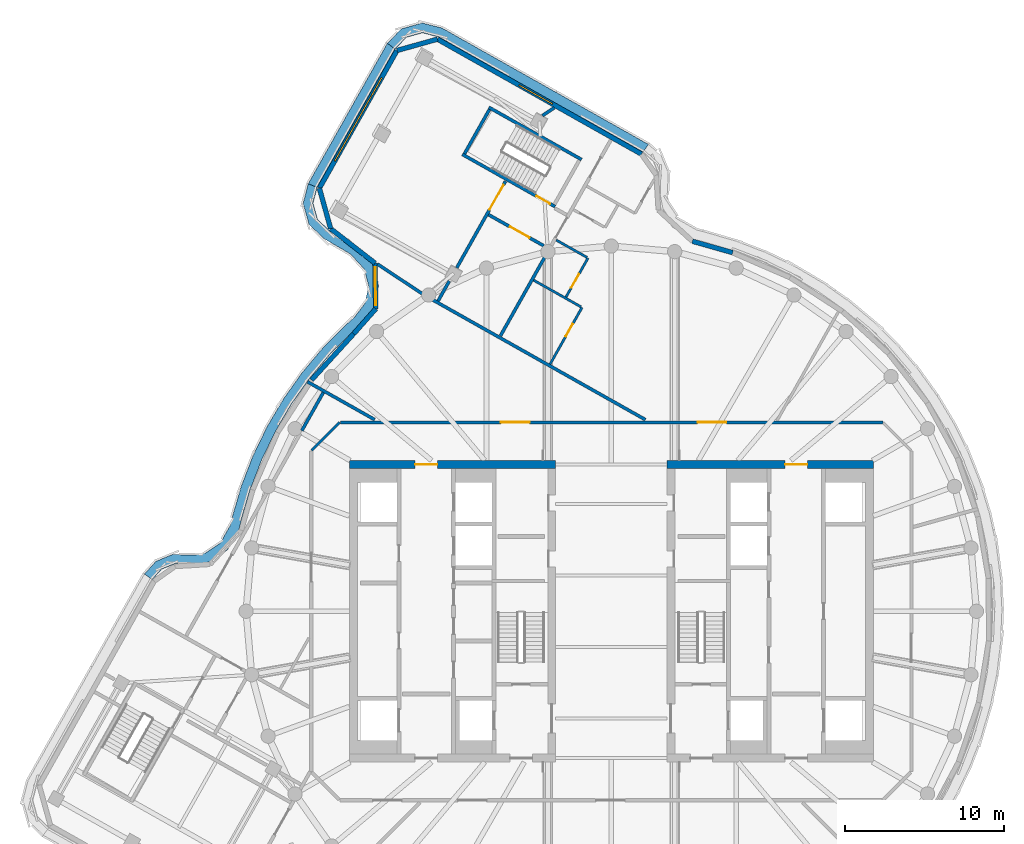
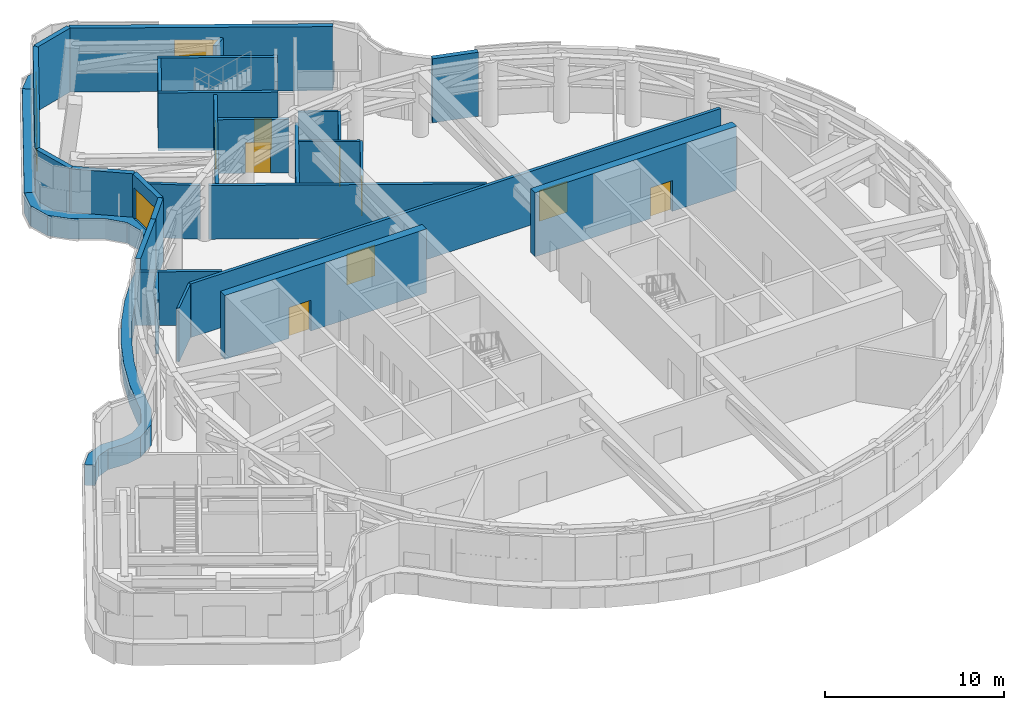
# One storey, part 8 of 15: 29 walls, 9 doors, 3 members, 3 windows, 12 openings.
"""IFC4 building model written with IfcOpenShell, lengths in metres."""

from ifc_helpers import new_model, si_unit, direction, frame, frame_2d, origin, place, context, subcontext, project, spatial, polyline, rectangle, outline, extrude, material, layer, layer_set, type_object, element, fill, aggregate, save


model = new_model("IFC4")

# Units and contexts
model_context = context("Model", 3, precision=1e-05, world=origin(), true_north=direction((0.0, 1.0)))
body_context = subcontext(model_context, "Body", "Model", "MODEL_VIEW")
ifc_project = project(units=[si_unit("LENGTHUNIT", "METRE"), si_unit("AREAUNIT", "SQUARE_METRE"), si_unit("VOLUMEUNIT", "CUBIC_METRE"), si_unit("PLANEANGLEUNIT", "RADIAN"), si_unit("MASSUNIT", "GRAM", prefix="KILO")], contexts=[model_context])

# Member
ifc_material_1 = material(Name="Aluminium and insulated spandrel panel", Category="aluminium")
member_type = type_object("IfcMemberType", Name="Floor-edge blade transom", PredefinedType="USERDEFINED", material=ifc_material_1)
site_placement = place(None, origin())
building_placement = place(site_placement, origin())
storey_placement = place(building_placement, frame((0.0, 0.0, 252.300048828125)))
member_1_placement = place(storey_placement, origin())
member_1 = element("IfcMember", 1, at=member_1_placement, type_object=member_type, Name="CWT-L64-02", ObjectType="TRANSOM", PredefinedType="USERDEFINED", context=body_context, shape_type="SweptSolid", body=[
    extrude(outline(polyline([(1.990966796875, 28.9130859375), (-10.891845703125, 36.172607421875), (-11.894775390625, 36.43017578125), (-12.891845703125, 36.151611328125), (-13.6162109375, 35.412109375), (-14.10009765625, 35.775390625), (-13.2080078125, 36.686279296875), (-11.901123046875, 37.05126953125), (-10.666259765625, 36.734130859375), (2.34375, 29.40283203125), (1.990966796875, 28.9130859375)])), origin(), (0.0, 0.0, 1.0), 1.39990234375),
])

member_2_placement = place(storey_placement, origin())
member_2 = element("IfcMember", 2, at=member_2_placement, type_object=member_type, Name="CWT-L64-03", ObjectType="TRANSOM", PredefinedType="USERDEFINED", context=body_context, shape_type="SweptSolid", body=[
    extrude(outline(polyline([(-13.6162109375, 35.412109375), (-18.525390625, 26.699951171875), (-19.0869140625, 26.92578125), (-14.10009765625, 35.775390625), (-13.6162109375, 35.412109375)])), origin(), (0.0, 0.0, 1.0), 1.39990234375),
])

member_3_placement = place(storey_placement, origin())
member_3 = element("IfcMember", 3, at=member_3_placement, type_object=member_type, Name="CWT-L64-04", ObjectType="TRANSOM", PredefinedType="USERDEFINED", context=body_context, shape_type="SweptSolid", body=[
    extrude(outline(polyline([(-18.525390625, 26.699951171875), (-18.782958984375, 25.697265625), (-18.504638671875, 24.7001953125), (-17.764892578125, 23.975830078125), (-16.046630859375, 22.974365234375), (-15.011962890625, 21.849609375), (-14.65576171875, 20.488037109375), (-14.970703125, 19.1162109375), (-15.76025390625, 18.076171875), (-16.327880859375, 17.584228515625), (-17.72412109375, 16.17578125), (-18.99951171875, 14.656982421875), (-20.14501953125, 13.0380859375), (-21.15283203125, 11.329833984375), (-22.01611328125, 9.54443359375), (-22.72900390625, 7.69384765625), (-23.286865234375, 5.79052734375), (-23.4462890625, 5.162841796875), (-24.17822265625, 3.86328125), (-25.325439453125, 3.107666015625), (-26.23388671875, 2.93212890625), (-26.923583984375, 2.949462890625), (-27.5068359375, 2.980712890625), (-28.321533203125, 2.644775390625), (-28.9130859375, 1.990966796875), (-29.40283203125, 2.34375), (-28.67578125, 3.147705078125), (-27.610107421875, 3.5869140625), (-26.900146484375, 3.549072265625), (-26.28369140625, 3.533447265625), (-25.55615234375, 3.674072265625), (-24.629638671875, 4.2841796875), (-24.00830078125, 5.387939453125), (-23.86572265625, 5.94873046875), (-23.2978515625, 7.88623046875), (-22.567138671875, 9.783203125), (-21.68212890625, 11.613525390625), (-20.64892578125, 13.3642578125), (-19.474853515625, 15.023681640625), (-18.167724609375, 16.580810546875), (-16.738037109375, 18.02294921875), (-16.200439453125, 18.48876953125), (-15.526611328125, 19.376220703125), (-15.2734375, 20.478515625), (-15.5546875, 21.55322265625), (-16.4267578125, 22.501708984375), (-18.13134765625, 23.494873046875), (-19.039306640625, 24.384033203125), (-19.404052734375, 25.69091796875), (-19.0869140625, 26.92578125), (-18.525390625, 26.699951171875)])), origin(), (0.0, 0.0, 1.0), 1.39990234375),
])

# Site, building, storey
site = spatial("IfcSite", under=ifc_project, at=site_placement, CompositionType="ELEMENT")
building = spatial("IfcBuilding", under=site, at=building_placement, Name="Tamarind Cross Interchange Tower", CompositionType="ELEMENT")
storey = spatial("IfcBuildingStorey", under=building, at=storey_placement, Name="L64", CompositionType="ELEMENT", Elevation=252.300048828125)

# Wall, opening, door
ifc_material_2 = material(Name="Concrete C50", Category="concrete")
ifc_layer_1 = layer(ifc_material_2, 0.5)
ifc_layer_set_1 = layer_set([ifc_layer_1], Name="Concrete C50")
wall_type_1 = type_object("IfcWallType", Name="Core wall 500 mm Concrete C50", PredefinedType="SHEAR", material=ifc_layer_set_1)
wall_1_placement = place(storey_placement, frame((-16.5, 9.25, 0.0), z_axis=(0.0, 0.0, 1.0), x_axis=(1.0, 0.0, 0.0)))
wall_1 = element("IfcWall", 4, at=wall_1_placement, inside=storey, type_object=wall_type_1, Name="Core wall CWL-L64-W-NE", PredefinedType="SHEAR", context=body_context, shape_type="SweptSolid", body=[
    extrude(rectangle(XDim=13.0, YDim=0.5, at=frame_2d((6.5, 0.0))), origin(), (0.0, 0.0, 1.0), 4.35986328125),
])
opening_1_placement = place(wall_1_placement, frame((4.14990234375, 0.0, 0.0)))
opening_1 = element("IfcOpeningElement", 5, at=opening_1_placement, cuts=wall_1, Name="Opening DCW31", PredefinedType="OPENING", context=body_context, shape_type="SweptSolid", body=[
    extrude(rectangle(XDim=1.39990234375, YDim=2.10009765625, at=frame_2d((0.699951171875, 1.050048828125))), frame((0.0, 0.260009765625, 0.0), z_axis=(0.0, -1.0, 0.0), x_axis=(1.0, 0.0, 0.0)), (0.0, 0.0, 1.0), 0.52001953125),
])
ifc_material_3 = material(Name="Steel, fire-resisting", Category="steel")
door_type_1 = type_object("IfcDoorType", Name="Core fire door 1400 x 2100 FD90", OperationType="SINGLE_SWING_LEFT", PredefinedType="DOOR", material=ifc_material_3)
door_1_placement = place(opening_1_placement, origin())
door_1 = element("IfcDoor", 6, at=door_1_placement, inside=storey, type_object=door_type_1, Name="L64 lift hall exit door", OperationType="SINGLE_SWING_LEFT", OverallHeight=2.10009765625, OverallWidth=1.39990234375, PredefinedType="DOOR", context=body_context, shape_type="SweptSolid", body=[
    extrude(rectangle(XDim=1.39990234375, YDim=2.10009765625, at=frame_2d((0.699951171875, 1.050048828125))), frame((0.0, 0.02490234375, 0.0), z_axis=(0.0, -1.0, 0.0), x_axis=(1.0, 0.0, 0.0)), (0.0, 0.0, 1.0), 0.050048828125),
])
fill(opening_1, door_1)

wall_2_placement = place(storey_placement, frame((16.5, 9.25, 0.0), z_axis=(0.0, 0.0, 1.0), x_axis=(-1.0, 0.0, 0.0)))
wall_2 = element("IfcWall", 7, at=wall_2_placement, inside=storey, type_object=wall_type_1, Name="Core wall CWL-L64-E-NE", PredefinedType="SHEAR", context=body_context, shape_type="SweptSolid", body=[
    extrude(rectangle(XDim=13.0, YDim=0.5, at=frame_2d((6.5, 0.0))), origin(), (0.0, 0.0, 1.0), 4.35986328125),
])
opening_2_placement = place(wall_2_placement, frame((4.14990234375, 0.0, 0.0)))
opening_2 = element("IfcOpeningElement", 8, at=opening_2_placement, cuts=wall_2, Name="Opening DCE31", PredefinedType="OPENING", context=body_context, shape_type="SweptSolid", body=[
    extrude(rectangle(XDim=1.39990234375, YDim=2.10009765625, at=frame_2d((0.699951171875, 1.050048828125))), frame((0.0, 0.260009765625, 0.0), z_axis=(0.0, -1.0, 0.0), x_axis=(1.0, 0.0, 0.0)), (0.0, 0.0, 1.0), 0.52001953125),
])
door_2_placement = place(opening_2_placement, origin())
door_2 = element("IfcDoor", 9, at=door_2_placement, inside=storey, type_object=door_type_1, Name="L64 lift hall exit door", OperationType="SINGLE_SWING_LEFT", OverallHeight=2.10009765625, OverallWidth=1.39990234375, PredefinedType="DOOR", context=body_context, shape_type="SweptSolid", body=[
    extrude(rectangle(XDim=1.39990234375, YDim=2.10009765625, at=frame_2d((0.699951171875, 1.050048828125))), frame((0.0, 0.02490234375, 0.0), z_axis=(0.0, -1.0, 0.0), x_axis=(1.0, 0.0, 0.0)), (0.0, 0.0, 1.0), 0.050048828125),
])
fill(opening_2, door_2)

# Walls
ifc_material_4 = material(Name="Gypsum board partition on steel studs", Category="steel")
ifc_layer_2 = layer(ifc_material_4, 0.14990234375)
ifc_layer_set_2 = layer_set([ifc_layer_2], Name="Gypsum board partition on steel studs")
wall_type_2 = type_object("IfcWallType", Name="Partition 150 mm EI 120", PredefinedType="PARTITIONING", material=ifc_layer_set_2)
wall_3_placement = place(storey_placement, frame((-4.892822265625, 20.85400390625, 0.0), z_axis=(0.0, 0.0, 1.0), x_axis=(0.871287977001, -0.490772107127, 0.0)))
element("IfcWall", 10, at=wall_3_placement, inside=storey, type_object=wall_type_2, Name="Partition L64-015", PredefinedType="PARTITIONING", context=body_context, shape_type="SweptSolid", body=[
    extrude(rectangle(XDim=3.425537109375, YDim=0.14990234375, at=frame_2d((1.712890625, 0.0))), origin(), (0.0, 0.0, 1.0), 3.659912109375),
])
wall_4_placement = place(storey_placement, frame((-3.468994140625, 23.380859375, 0.0), z_axis=(0.0, 0.0, 1.0), x_axis=(0.871285294393, -0.490776869641, 0.0)))
element("IfcWall", 11, at=wall_4_placement, inside=storey, type_object=wall_type_2, Name="Partition L64-017", PredefinedType="PARTITIONING", context=body_context, shape_type="SweptSolid", body=[
    extrude(rectangle(XDim=2.22509765625, YDim=0.14990234375, at=frame_2d((1.112548828125, 0.0))), origin(), (0.0, 0.0, 1.0), 3.659912109375),
])
wall_5_placement = place(storey_placement, frame((-18.864501953125, 10.135498046875, 0.0), z_axis=(0.0, 0.0, 1.0), x_axis=(0.707106781187, 0.707106781187, 0.0)))
element("IfcWall", 12, at=wall_5_placement, inside=storey, type_object=wall_type_2, Name="Partition L64-023", PredefinedType="PARTITIONING", context=body_context, shape_type="SweptSolid", body=[
    extrude(rectangle(XDim=2.495361328125, YDim=0.14990234375, at=frame_2d((1.24755859375, 0.0))), origin(), (0.0, 0.0, 1.0), 3.659912109375),
])

# Wall, opening, door
wall_6_placement = place(storey_placement, frame((-3.85595703125, 15.564208984375, 0.0), z_axis=(0.0, 0.0, 1.0), x_axis=(0.49096787186, 0.871177679237, 0.0)))
wall_6 = element("IfcWall", 13, at=wall_6_placement, inside=storey, type_object=wall_type_2, Name="Partition L64-039", PredefinedType="PARTITIONING", context=body_context, shape_type="SweptSolid", body=[
    extrude(rectangle(XDim=4.099853515625, YDim=0.14990234375, at=frame_2d((2.0498046875, 0.0))), origin(), (0.0, 0.0, 1.0), 3.659912109375),
])
opening_3_placement = place(wall_6_placement, frame((2.0, 0.0, 0.0)))
opening_3 = element("IfcOpeningElement", 14, at=opening_3_placement, cuts=wall_6, Name="Opening D16", PredefinedType="OPENING", context=body_context, shape_type="SweptSolid", body=[
    extrude(rectangle(XDim=0.89990234375, YDim=2.10009765625, at=frame_2d((0.449951171875, 1.050048828125))), frame((0.0, 0.0849609375, 0.0), z_axis=(0.0, -1.0, 0.0), x_axis=(1.0, 0.0, 0.0)), (0.0, 0.0, 1.0), 0.169921875),
])
ifc_material_5 = material(Name="Fire-resisting door set")
door_type_2 = type_object("IfcDoorType", Name="Interior door 900 x 2100 FD60S", OperationType="SINGLE_SWING_LEFT", PredefinedType="DOOR", material=ifc_material_5)
door_3_placement = place(opening_3_placement, origin())
door_3 = element("IfcDoor", 15, at=door_3_placement, inside=storey, type_object=door_type_2, Name="Door D16", OperationType="SINGLE_SWING_LEFT", OverallHeight=2.10009765625, OverallWidth=0.89990234375, PredefinedType="DOOR", context=body_context, shape_type="SweptSolid", body=[
    extrude(rectangle(XDim=0.89990234375, YDim=2.10009765625, at=frame_2d((0.449951171875, 1.050048828125))), frame((0.0, 0.02490234375, 0.0), z_axis=(0.0, -1.0, 0.0), x_axis=(1.0, 0.0, 0.0)), (0.0, 0.0, 1.0), 0.050048828125),
])
fill(opening_3, door_3)

wall_7_placement = place(storey_placement, frame((-2.849609375, 19.794677734375, 0.0), z_axis=(0.0, 0.0, 1.0), x_axis=(0.490881675971, 0.871226250865, 0.0)))
wall_7 = element("IfcWall", 16, at=wall_7_placement, inside=storey, type_object=wall_type_2, Name="Partition L64-041", PredefinedType="PARTITIONING", context=body_context, shape_type="SweptSolid", body=[
    extrude(rectangle(XDim=2.820556640625, YDim=0.14990234375, at=frame_2d((1.41015625, 0.0))), origin(), (0.0, 0.0, 1.0), 3.659912109375),
])
opening_4_placement = place(wall_7_placement, frame((0.669921875, 0.0, 0.0)))
opening_4 = element("IfcOpeningElement", 17, at=opening_4_placement, cuts=wall_7, Name="Opening D18", PredefinedType="OPENING", context=body_context, shape_type="SweptSolid", body=[
    extrude(rectangle(XDim=1.0, YDim=2.10009765625, at=frame_2d((0.5, 1.050048828125))), frame((0.0, 0.0849609375, 0.0), z_axis=(0.0, -1.0, 0.0), x_axis=(1.0, 0.0, 0.0)), (0.0, 0.0, 1.0), 0.169921875),
])
door_type_3 = type_object("IfcDoorType", Name="Interior door 1000 x 2100 FD60S", OperationType="SINGLE_SWING_LEFT", PredefinedType="DOOR", material=ifc_material_5)
door_4_placement = place(opening_4_placement, origin())
door_4 = element("IfcDoor", 18, at=door_4_placement, inside=storey, type_object=door_type_3, Name="Door D18", OperationType="SINGLE_SWING_RIGHT", OverallHeight=2.10009765625, OverallWidth=1.0, PredefinedType="DOOR", context=body_context, shape_type="SweptSolid", body=[
    extrude(rectangle(XDim=1.0, YDim=2.10009765625, at=frame_2d((0.5, 1.050048828125))), frame((0.0, 0.02490234375, 0.0), z_axis=(0.0, -1.0, 0.0), x_axis=(1.0, 0.0, 0.0)), (0.0, 0.0, 1.0), 0.050048828125),
])
fill(opening_4, door_4)

# Walls
ifc_layer_3 = layer(ifc_material_4, 0.199951171875)
ifc_layer_set_3 = layer_set([ifc_layer_3], Name="Gypsum board partition on steel studs")
wall_type_3 = type_object("IfcWallType", Name="Partition 200 mm EI 180", PredefinedType="PARTITIONING", material=ifc_layer_set_3)
wall_8_placement = place(storey_placement, frame((-19.130615234375, 14.452880859375, 0.0), z_axis=(0.0, 0.0, 1.0), x_axis=(0.871219461058, -0.490893726456, 0.0)))
element("IfcWall", 19, at=wall_8_placement, inside=storey, type_object=wall_type_3, Name="Partition L64-011", PredefinedType="PARTITIONING", context=body_context, shape_type="SweptSolid", body=[
    extrude(rectangle(XDim=4.85546875, YDim=0.199951171875, at=frame_2d((2.427734375, 0.0))), origin(), (0.0, 0.0, 1.0), 3.659912109375),
])
wall_9_placement = place(storey_placement, frame((-14.724609375, 21.865966796875, 0.0), z_axis=(0.0, 0.0, 1.0), x_axis=(0.833781800799, -0.552094112137, 0.0)))
element("IfcWall", 20, at=wall_9_placement, inside=storey, type_object=wall_type_3, Name="Partition L64-012", PredefinedType="PARTITIONING", context=body_context, shape_type="SweptSolid", body=[
    extrude(rectangle(XDim=3.549072265625, YDim=0.199951171875, at=frame_2d((1.7744140625, 0.0))), origin(), (0.0, 0.0, 1.0), 3.659912109375),
])
wall_10_placement = place(storey_placement, frame((-11.373291015625, 19.685546875, 0.0), z_axis=(0.0, 0.0, 1.0), x_axis=(0.871198713454, -0.490930546693, 0.0)))
element("IfcWall", 21, at=wall_10_placement, inside=storey, type_object=wall_type_3, Name="Partition L64-013", PredefinedType="PARTITIONING", context=body_context, shape_type="SweptSolid", body=[
    extrude(rectangle(XDim=15.513916015625, YDim=0.199951171875, at=frame_2d((7.7568359375, 0.0))), origin(), (0.0, 0.0, 1.0), 3.659912109375),
])

# Wall, opening, door
wall_11_placement = place(storey_placement, frame((-7.73291015625, 24.97998046875, 0.0), z_axis=(0.0, 0.0, 1.0), x_axis=(0.871188339902, -0.490948955003, 0.0)))
wall_11 = element("IfcWall", 22, at=wall_11_placement, inside=storey, type_object=wall_type_3, Name="Partition L64-014", PredefinedType="PARTITIONING", context=body_context, shape_type="SweptSolid", body=[
    extrude(rectangle(XDim=3.99365234375, YDim=0.199951171875, at=frame_2d((1.996826171875, 0.0))), origin(), (0.0, 0.0, 1.0), 3.659912109375),
])
opening_5_placement = place(wall_11_placement, frame((1.550048828125, 0.0, 0.0)))
opening_5 = element("IfcOpeningElement", 23, at=opening_5_placement, cuts=wall_11, Name="Opening D02", PredefinedType="OPENING", context=body_context, shape_type="SweptSolid", body=[
    extrude(rectangle(XDim=1.39990234375, YDim=2.10009765625, at=frame_2d((0.699951171875, 1.050048828125))), frame((0.0, 0.10986328125, 0.0), z_axis=(0.0, -1.0, 0.0), x_axis=(1.0, 0.0, 0.0)), (0.0, 0.0, 1.0), 0.219970703125),
])
door_type_4 = type_object("IfcDoorType", Name="Interior door 1400 x 2100 FD120S", OperationType="DOUBLE_DOOR_SINGLE_SWING", PredefinedType="DOOR", material=ifc_material_5)
door_5_placement = place(opening_5_placement, frame((1.39990234375, 0.0, 0.0), z_axis=(0.0, 0.0, 1.0), x_axis=(-1.0, 0.0, 0.0)))
door_5 = element("IfcDoor", 24, at=door_5_placement, inside=storey, type_object=door_type_4, Name="Door D02", OperationType="DOUBLE_DOOR_SINGLE_SWING", OverallHeight=2.10009765625, OverallWidth=1.39990234375, PredefinedType="DOOR", context=body_context, shape_type="SweptSolid", body=[
    extrude(rectangle(XDim=1.39990234375, YDim=2.10009765625, at=frame_2d((0.699951171875, 1.050048828125))), frame((0.0, 0.02490234375, 0.0), z_axis=(0.0, -1.0, 0.0), x_axis=(1.0, 0.0, 0.0)), (0.0, 0.0, 1.0), 0.050048828125),
])
fill(opening_5, door_5)

# Wall, openings, doors
wall_12_placement = place(storey_placement, frame((-17.06494140625, 11.89990234375, 0.0), z_axis=(0.0, 0.0, 1.0), x_axis=(1.0, 0.0, 0.0)))
wall_12 = element("IfcWall", 25, at=wall_12_placement, inside=storey, type_object=wall_type_3, Name="Partition L64-021", PredefinedType="PARTITIONING", context=body_context, shape_type="SweptSolid", body=[
    extrude(rectangle(XDim=34.1650390625, YDim=0.199951171875, at=frame_2d((17.08251953125, 0.0))), origin(), (0.0, 0.0, 1.0), 3.659912109375),
])
opening_6_placement = place(wall_12_placement, frame((22.508056640625, 0.0, 0.0)))
opening_6 = element("IfcOpeningElement", 26, at=opening_6_placement, cuts=wall_12, Name="Opening D07", PredefinedType="OPENING", context=body_context, shape_type="SweptSolid", body=[
    extrude(rectangle(XDim=1.800048828125, YDim=2.10009765625, at=frame_2d((0.89990234375, 1.050048828125))), frame((0.0, 0.10986328125, 0.0), z_axis=(0.0, -1.0, 0.0), x_axis=(1.0, 0.0, 0.0)), (0.0, 0.0, 1.0), 0.219970703125),
])
opening_7_placement = place(wall_12_placement, frame((10.114990234375, 0.0, 0.0)))
opening_7 = element("IfcOpeningElement", 27, at=opening_7_placement, cuts=wall_12, Name="Opening D08", PredefinedType="OPENING", context=body_context, shape_type="SweptSolid", body=[
    extrude(rectangle(XDim=1.800048828125, YDim=2.10009765625, at=frame_2d((0.89990234375, 1.050048828125))), frame((0.0, 0.10986328125, 0.0), z_axis=(0.0, -1.0, 0.0), x_axis=(1.0, 0.0, 0.0)), (0.0, 0.0, 1.0), 0.219970703125),
])
door_type_5 = type_object("IfcDoorType", Name="Interior door 1800 x 2100 FD120S", OperationType="DOUBLE_DOOR_SINGLE_SWING", PredefinedType="DOOR", material=ifc_material_5)
door_6_placement = place(opening_6_placement, frame((1.800048828125, 0.0, 0.0), z_axis=(0.0, 0.0, 1.0), x_axis=(-1.0, 0.0, 0.0)))
door_6 = element("IfcDoor", 28, at=door_6_placement, inside=storey, type_object=door_type_5, Name="Door D07", OperationType="DOUBLE_DOOR_SINGLE_SWING", OverallHeight=2.10009765625, OverallWidth=1.800048828125, PredefinedType="DOOR", context=body_context, shape_type="SweptSolid", body=[
    extrude(rectangle(XDim=1.800048828125, YDim=2.10009765625, at=frame_2d((0.89990234375, 1.050048828125))), frame((0.0, 0.02490234375, 0.0), z_axis=(0.0, -1.0, 0.0), x_axis=(1.0, 0.0, 0.0)), (0.0, 0.0, 1.0), 0.050048828125),
])
fill(opening_6, door_6)
door_7_placement = place(opening_7_placement, origin())
door_7 = element("IfcDoor", 29, at=door_7_placement, inside=storey, type_object=door_type_5, Name="Door D08", OperationType="DOUBLE_DOOR_SINGLE_SWING", OverallHeight=2.10009765625, OverallWidth=1.800048828125, PredefinedType="DOOR", context=body_context, shape_type="SweptSolid", body=[
    extrude(rectangle(XDim=1.800048828125, YDim=2.10009765625, at=frame_2d((0.89990234375, 1.050048828125))), frame((0.0, 0.02490234375, 0.0), z_axis=(0.0, -1.0, 0.0), x_axis=(1.0, 0.0, 0.0)), (0.0, 0.0, 1.0), 0.050048828125),
])
fill(opening_7, door_7)

# Walls
wall_13_placement = place(storey_placement, frame((-19.491455078125, 11.37744140625, 0.0), z_axis=(0.0, 0.0, 1.0), x_axis=(0.490950733336, 0.871187337739, 0.0)))
element("IfcWall", 30, at=wall_13_placement, inside=storey, type_object=wall_type_3, Name="Partition L64-029", PredefinedType="PARTITIONING", context=body_context, shape_type="SweptSolid", body=[
    extrude(rectangle(XDim=2.75634765625, YDim=0.199951171875, at=frame_2d((1.378173828125, 0.0))), origin(), (0.0, 0.0, 1.0), 3.659912109375),
])
wall_14_placement = place(storey_placement, frame((-10.912841796875, 19.541015625, 0.0), z_axis=(0.0, 0.0, 1.0), x_axis=(0.490861767795, 0.871237467581, 0.0)))
element("IfcWall", 31, at=wall_14_placement, inside=storey, type_object=wall_type_3, Name="Partition L64-034", PredefinedType="PARTITIONING", context=body_context, shape_type="SweptSolid", body=[
    extrude(rectangle(XDim=1.447265625, YDim=0.199951171875, at=frame_2d((0.7236328125, 0.0))), origin(), (0.0, 0.0, 1.0), 3.659912109375),
])

# Wall, opening, door
wall_15_placement = place(storey_placement, frame((-9.734619140625, 21.6318359375, 0.0), z_axis=(0.0, 0.0, 1.0), x_axis=(0.490972161339, 0.87117526181, 0.0)))
wall_15 = element("IfcWall", 32, at=wall_15_placement, inside=storey, type_object=wall_type_3, Name="Partition L64-035", PredefinedType="PARTITIONING", context=body_context, shape_type="SweptSolid", body=[
    extrude(rectangle(XDim=6.259521484375, YDim=0.199951171875, at=frame_2d((3.1298828125, 0.0))), origin(), (0.0, 0.0, 1.0), 3.659912109375),
])
opening_8_placement = place(wall_15_placement, frame((4.199462890625, 0.0, 0.0)))
opening_8 = element("IfcOpeningElement", 33, at=opening_8_placement, cuts=wall_15, Name="Opening D13", PredefinedType="OPENING", context=body_context, shape_type="SweptSolid", body=[
    extrude(rectangle(XDim=1.800048828125, YDim=2.10009765625, at=frame_2d((0.89990234375, 1.050048828125))), frame((0.0, 0.10986328125, 0.0), z_axis=(0.0, -1.0, 0.0), x_axis=(1.0, 0.0, 0.0)), (0.0, 0.0, 1.0), 0.219970703125),
])
door_8_placement = place(opening_8_placement, origin())
door_8 = element("IfcDoor", 34, at=door_8_placement, inside=storey, type_object=door_type_5, Name="Door D13", OperationType="DOUBLE_DOOR_SINGLE_SWING", OverallHeight=2.10009765625, OverallWidth=1.800048828125, PredefinedType="DOOR", context=body_context, shape_type="SweptSolid", body=[
    extrude(rectangle(XDim=1.800048828125, YDim=2.10009765625, at=frame_2d((0.89990234375, 1.050048828125))), frame((0.0, 0.02490234375, 0.0), z_axis=(0.0, -1.0, 0.0), x_axis=(1.0, 0.0, 0.0)), (0.0, 0.0, 1.0), 0.050048828125),
])
fill(opening_8, door_8)

# Walls
wall_16_placement = place(storey_placement, frame((-4.333251953125, 31.215576171875, 0.0), z_axis=(0.0, 0.0, 1.0), x_axis=(0.831335326715, 0.555771153044, 0.0)))
element("IfcWall", 35, at=wall_16_placement, inside=storey, type_object=wall_type_3, Name="Partition L64-036", PredefinedType="PARTITIONING", context=body_context, shape_type="SweptSolid", body=[
    extrude(rectangle(XDim=0.89404296875, YDim=0.199951171875, at=frame_2d((0.447021484375, 0.0))), origin(), (0.0, 0.0, 1.0), 3.659912109375),
])
wall_17_placement = place(storey_placement, frame((-6.983154296875, 17.348388671875, 0.0), z_axis=(0.0, 0.0, 1.0), x_axis=(0.490949267778, 0.871188163641, 0.0)))
element("IfcWall", 36, at=wall_17_placement, inside=storey, type_object=wall_type_3, Name="Partition L64-037", PredefinedType="PARTITIONING", context=body_context, shape_type="SweptSolid", body=[
    extrude(rectangle(XDim=5.861572265625, YDim=0.199951171875, at=frame_2d((2.9306640625, 0.0))), origin(), (0.0, 0.0, 1.0), 3.659912109375),
])
ifc_material_6 = material(Name="Precast concrete C40", Category="concrete")
ifc_layer_4 = layer(ifc_material_6, 0.300048828125)
ifc_layer_set_4 = layer_set([ifc_layer_4], Name="Precast concrete C40")
wall_type_4 = type_object("IfcWallType", Name="Plant louvre wall", PredefinedType="SOLIDWALL", material=ifc_layer_set_4)
wall_18_placement = place(storey_placement, frame((7.6455078125, 22.5869140625, 0.0), z_axis=(0.0, 0.0, 1.0), x_axis=(-0.962160288524, 0.272484089788, 0.0)))
element("IfcWall", 37, at=wall_18_placement, inside=storey, type_object=wall_type_4, Name="EXW-L64-01-26", PredefinedType="SOLIDWALL", context=body_context, shape_type="SweptSolid", body=[
    extrude(rectangle(XDim=2.638671875, YDim=0.300048828125, at=frame_2d((1.3193359375, 0.0))), origin(), (0.0, 0.0, 1.0), 4.35986328125),
])

# Wall, opening, window
wall_19_placement = place(storey_placement, frame((1.90283203125, 28.79052734375, 0.0), z_axis=(0.0, 0.0, 1.0), x_axis=(-0.871199573744, 0.490929020031, 0.0)))
wall_19 = element("IfcWall", 38, at=wall_19_placement, inside=storey, type_object=wall_type_4, Name="EXW-L64-02-00", PredefinedType="SOLIDWALL", context=body_context, shape_type="SweptSolid", body=[
    extrude(rectangle(XDim=14.7509765625, YDim=0.300048828125, at=frame_2d((7.37548828125, 0.0))), origin(), (0.0, 0.0, 1.0), 4.35986328125),
])
opening_9_placement = place(wall_19_placement, frame((6.449951171875, 0.0, 1.39990234375)))
opening_9 = element("IfcOpeningElement", 39, at=opening_9_placement, cuts=wall_19, Name="Opening W3", PredefinedType="OPENING", context=body_context, shape_type="SweptSolid", body=[
    extrude(rectangle(XDim=2.39990234375, YDim=2.10009765625, at=frame_2d((1.199951171875, 1.050048828125))), frame((0.0, 0.159912109375, 0.0), z_axis=(0.0, -1.0, 0.0), x_axis=(1.0, 0.0, 0.0)), (0.0, 0.0, 1.0), 0.320068359375),
])
ifc_material_7 = material(Name="Aluminium and fire-resisting glass", Category="aluminium")
window_type_1 = type_object("IfcWindowType", Name="Refuge rescue window", PartitioningType="DOUBLE_PANEL_VERTICAL", PredefinedType="WINDOW", material=ifc_material_7)
window_1_placement = place(opening_9_placement, origin())
window_1 = element("IfcWindow", 40, at=window_1_placement, inside=storey, type_object=window_type_1, Name="RSW-L64-02-00", OverallHeight=2.10009765625, OverallWidth=2.39990234375, PartitioningType="SINGLE_PANEL", PredefinedType="WINDOW", context=body_context, shape_type="SweptSolid", body=[
    extrude(rectangle(XDim=2.39990234375, YDim=2.10009765625, at=frame_2d((1.199951171875, 1.050048828125))), frame((0.0, 0.030029296875, 0.0), z_axis=(0.0, -1.0, 0.0), x_axis=(1.0, 0.0, 0.0)), (0.0, 0.0, 1.0), 0.06005859375),
])
fill(opening_9, window_1)

aggregate(wall_19, [member_1])

# Wall
wall_20_placement = place(storey_placement, frame((-10.9482421875, 36.0322265625, 0.0), z_axis=(0.0, 0.0, 1.0), x_axis=(-0.963178509749, -0.268862712844, 0.0)))
element("IfcWall", 41, at=wall_20_placement, inside=storey, type_object=wall_type_4, Name="EXW-L64-02-01", PredefinedType="SOLIDWALL", context=body_context, shape_type="SweptSolid", body=[
    extrude(rectangle(XDim=2.644287109375, YDim=0.300048828125, at=frame_2d((1.322265625, 0.0))), origin(), (0.0, 0.0, 1.0), 4.35986328125),
])

# Wall, opening, window
wall_21_placement = place(storey_placement, frame((-13.4951171875, 35.3212890625, 0.0), z_axis=(0.0, 0.0, 1.0), x_axis=(-0.490922083825, -0.871203482324, 0.0)))
wall_21 = element("IfcWall", 42, at=wall_21_placement, inside=storey, type_object=wall_type_4, Name="EXW-L64-03-00", PredefinedType="SOLIDWALL", context=body_context, shape_type="SweptSolid", body=[
    extrude(rectangle(XDim=9.960693359375, YDim=0.300048828125, at=frame_2d((4.98046875, 0.0))), origin(), (0.0, 0.0, 1.0), 4.35986328125),
])
opening_10_placement = place(wall_21_placement, frame((1.980224609375, 0.0, 1.39990234375)))
opening_10 = element("IfcOpeningElement", 43, at=opening_10_placement, cuts=wall_21, Name="Opening W2", PredefinedType="OPENING", context=body_context, shape_type="SweptSolid", body=[
    extrude(rectangle(XDim=6.0, YDim=2.60009765625, at=frame_2d((3.0, 1.300048828125))), frame((0.0, 0.159912109375, 0.0), z_axis=(0.0, -1.0, 0.0), x_axis=(1.0, 0.0, 0.0)), (0.0, 0.0, 1.0), 0.320068359375),
])
ifc_material_8 = material(Name="Aluminium louvre", Category="aluminium")
window_type_2 = type_object("IfcWindowType", Name="Plant louvre bank", PartitioningType="SINGLE_PANEL", PredefinedType="WINDOW", material=ifc_material_8)
window_2_placement = place(opening_10_placement, origin())
window_2 = element("IfcWindow", 44, at=window_2_placement, inside=storey, type_object=window_type_2, Name="WIN-L64-03-00", OverallHeight=2.60009765625, OverallWidth=6.0, PartitioningType="SINGLE_PANEL", PredefinedType="WINDOW", context=body_context, shape_type="SweptSolid", body=[
    extrude(rectangle(XDim=6.0, YDim=2.60009765625, at=frame_2d((3.0, 1.300048828125))), frame((0.0, 0.030029296875, 0.0), z_axis=(0.0, -1.0, 0.0), x_axis=(1.0, 0.0, 0.0)), (0.0, 0.0, 1.0), 0.06005859375),
])
fill(opening_10, window_2)

aggregate(wall_21, [member_2])

# Wall
wall_22_placement = place(storey_placement, frame((-18.385009765625, 26.6435546875, 0.0), z_axis=(0.0, 0.0, 1.0), x_axis=(0.269047880209, -0.963126802739, 0.0)))
wall_22 = element("IfcWall", 45, at=wall_22_placement, inside=storey, type_object=wall_type_4, Name="EXW-L64-04-00", PredefinedType="SOLIDWALL", context=body_context, shape_type="SweptSolid", body=[
    extrude(rectangle(XDim=2.645263671875, YDim=0.300048828125, at=frame_2d((1.32275390625, 0.0))), origin(), (0.0, 0.0, 1.0), 4.35986328125),
])

aggregate(wall_22, [member_3])

wall_23_placement = place(storey_placement, frame((-17.67333984375, 24.095947265625, 0.0), z_axis=(0.0, 0.0, 1.0), x_axis=(0.789786309294, -0.613382087815, 0.0)))
element("IfcWall", 46, at=wall_23_placement, inside=storey, type_object=wall_type_4, Name="EXW-L64-04-01", PredefinedType="SOLIDWALL", context=body_context, shape_type="SweptSolid", body=[
    extrude(rectangle(XDim=3.54150390625, YDim=0.300048828125, at=frame_2d((1.770751953125, 0.0))), origin(), (0.0, 0.0, 1.0), 4.35986328125),
])

# Wall, opening, window
wall_24_placement = place(storey_placement, frame((-14.876220703125, 21.923583984375, 0.0), z_axis=(0.0, 0.0, 1.0), x_axis=(0.015552729789, -0.999879048983, 0.0)))
wall_24 = element("IfcWall", 47, at=wall_24_placement, inside=storey, type_object=wall_type_4, Name="EXW-L64-04-02", PredefinedType="SOLIDWALL", context=body_context, shape_type="SweptSolid", body=[
    extrude(rectangle(XDim=2.87255859375, YDim=0.300048828125, at=frame_2d((1.436279296875, 0.0))), origin(), (0.0, 0.0, 1.0), 4.35986328125),
])
opening_11_placement = place(wall_24_placement, frame((0.25, 0.0, 1.39990234375)))
opening_11 = element("IfcOpeningElement", 48, at=opening_11_placement, cuts=wall_24, Name="Opening W3", PredefinedType="OPENING", context=body_context, shape_type="SweptSolid", body=[
    extrude(rectangle(XDim=2.39990234375, YDim=2.10009765625, at=frame_2d((1.199951171875, 1.050048828125))), frame((0.0, 0.159912109375, 0.0), z_axis=(0.0, -1.0, 0.0), x_axis=(1.0, 0.0, 0.0)), (0.0, 0.0, 1.0), 0.320068359375),
])
window_3_placement = place(opening_11_placement, origin())
window_3 = element("IfcWindow", 49, at=window_3_placement, inside=storey, type_object=window_type_1, Name="RSW-L64-04-01", OverallHeight=2.10009765625, OverallWidth=2.39990234375, PartitioningType="SINGLE_PANEL", PredefinedType="WINDOW", context=body_context, shape_type="SweptSolid", body=[
    extrude(rectangle(XDim=2.39990234375, YDim=2.10009765625, at=frame_2d((1.199951171875, 1.050048828125))), frame((0.0, 0.030029296875, 0.0), z_axis=(0.0, -1.0, 0.0), x_axis=(1.0, 0.0, 0.0)), (0.0, 0.0, 1.0), 0.06005859375),
])
fill(opening_11, window_3)

# Walls
wall_25_placement = place(storey_placement, frame((-14.83154296875, 19.05126953125, 0.0), z_axis=(0.0, 0.0, 1.0), x_axis=(-0.662323524688, -0.749217958037, 0.0)))
element("IfcWall", 50, at=wall_25_placement, inside=storey, type_object=wall_type_4, Name="EXW-L64-04-03", PredefinedType="SOLIDWALL", context=body_context, shape_type="SweptSolid", body=[
    extrude(rectangle(XDim=2.1044921875, YDim=0.300048828125, at=frame_2d((1.05224609375, 0.0))), origin(), (0.0, 0.0, 1.0), 4.35986328125),
])
wall_26_placement = place(storey_placement, frame((-16.225341796875, 17.474609375, 0.0), z_axis=(0.0, 0.0, 1.0), x_axis=(-0.674109155124, -0.738631739758, 0.0)))
element("IfcWall", 51, at=wall_26_placement, inside=storey, type_object=wall_type_4, Name="EXW-L64-04-04", PredefinedType="SOLIDWALL", context=body_context, shape_type="SweptSolid", body=[
    extrude(rectangle(XDim=3.93896484375, YDim=0.300048828125, at=frame_2d((1.969482421875, 0.0))), origin(), (0.0, 0.0, 1.0), 4.35986328125),
])

# Wall, opening, door
ifc_material_9 = material(Name="Concrete C40", Category="concrete")
ifc_layer_5 = layer(ifc_material_9, 0.199951171875)
ifc_layer_set_5 = layer_set([ifc_layer_5], Name="Concrete C40")
wall_type_5 = type_object("IfcWallType", Name="Stair shaft wall 200 mm Concrete C40", PredefinedType="SHEAR", material=ifc_layer_set_5)
wall_27_placement = place(storey_placement, frame((-3.543701171875, 25.489013671875, -0.179931640625), z_axis=(0.0, 0.0, 1.0), x_axis=(-0.871189898328, 0.490946189567, 0.0)))
wall_27 = element("IfcWall", 52, at=wall_27_placement, inside=storey, type_object=wall_type_5, Name="Core wall CWL-L64-ST4-H", PredefinedType="SHEAR", context=body_context, shape_type="SweptSolid", body=[
    extrude(rectangle(XDim=6.699951171875, YDim=0.199951171875, at=frame_2d((3.35009765625, 0.0))), origin(), (0.0, 0.0, 1.0), 3.94384765625),
])
opening_12_placement = place(wall_27_placement, frame((0.35009765625, 0.0, 0.0)))
opening_12 = element("IfcOpeningElement", 53, at=opening_12_placement, cuts=wall_27, Name="Opening ST4L64", PredefinedType="OPENING", context=body_context, shape_type="SweptSolid", body=[
    extrude(rectangle(XDim=1.0, YDim=2.10009765625, at=frame_2d((0.5, 1.050048828125))), frame((0.0, 0.10986328125, 0.0), z_axis=(0.0, -1.0, 0.0), x_axis=(1.0, 0.0, 0.0)), (0.0, 0.0, 1.0), 0.219970703125),
])
door_type_6 = type_object("IfcDoorType", Name="Core fire door 1000 x 2100 FD90", OperationType="SINGLE_SWING_LEFT", PredefinedType="DOOR", material=ifc_material_3)
door_9_placement = place(opening_12_placement, origin())
door_9 = element("IfcDoor", 54, at=door_9_placement, inside=storey, type_object=door_type_6, Name="L64 stair door ST4", OperationType="SINGLE_SWING_LEFT", OverallHeight=2.10009765625, OverallWidth=1.0, PredefinedType="DOOR", context=body_context, shape_type="SweptSolid", body=[
    extrude(rectangle(XDim=1.0, YDim=2.10009765625, at=frame_2d((0.5, 1.050048828125))), frame((0.0, 0.02490234375, 0.0), z_axis=(0.0, -1.0, 0.0), x_axis=(1.0, 0.0, 0.0)), (0.0, 0.0, 1.0), 0.050048828125),
])
fill(opening_12, door_9)

# Walls
wall_28_placement = place(storey_placement, frame((-1.87451171875, 28.451171875, -0.179931640625), z_axis=(0.0, 0.0, 1.0), x_axis=(-0.871205483509, 0.490918532451, 0.0)))
element("IfcWall", 55, at=wall_28_placement, inside=storey, type_object=wall_type_5, Name="Core wall CWL-L64-ST4-C", PredefinedType="SHEAR", context=body_context, shape_type="SweptSolid", body=[
    extrude(rectangle(XDim=6.69970703125, YDim=0.199951171875, at=frame_2d((3.349853515625, 0.0))), origin(), (0.0, 0.0, 1.0), 3.94384765625),
])
wall_29_placement = place(storey_placement, frame((0.0, 0.0, -0.179931640625)))
element("IfcWall", 56, at=wall_29_placement, inside=storey, type_object=wall_type_5, Name="Core wall CWL-L64-ST4-CF", PredefinedType="SHEAR", context=body_context, shape_type="SweptSolid", body=[
    extrude(outline(polyline([(-7.586181640625, 31.554931640625), (-7.760498046875, 31.6533203125), (-9.33154296875, 28.865478515625), (-9.1572265625, 28.76708984375), (-7.586181640625, 31.554931640625)])), origin(), (0.0, 0.0, 1.0), 3.94384765625),
])

save(model, "model.ifc")
